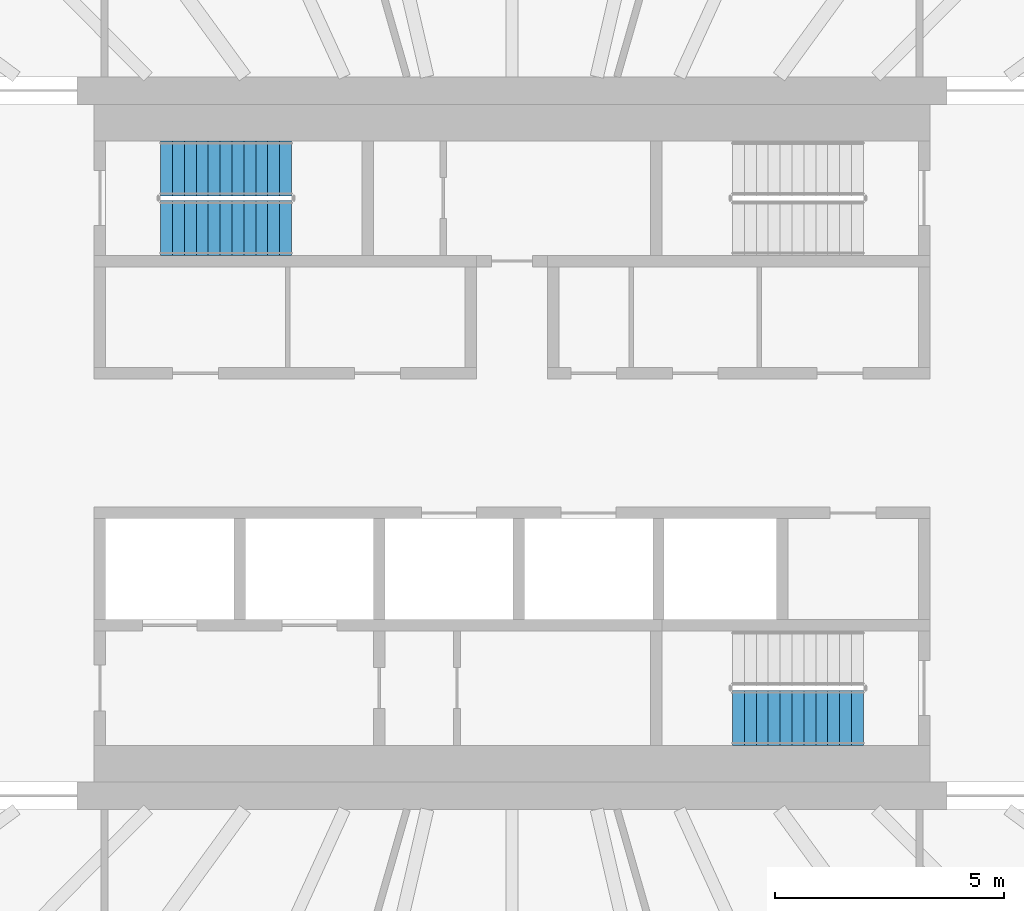
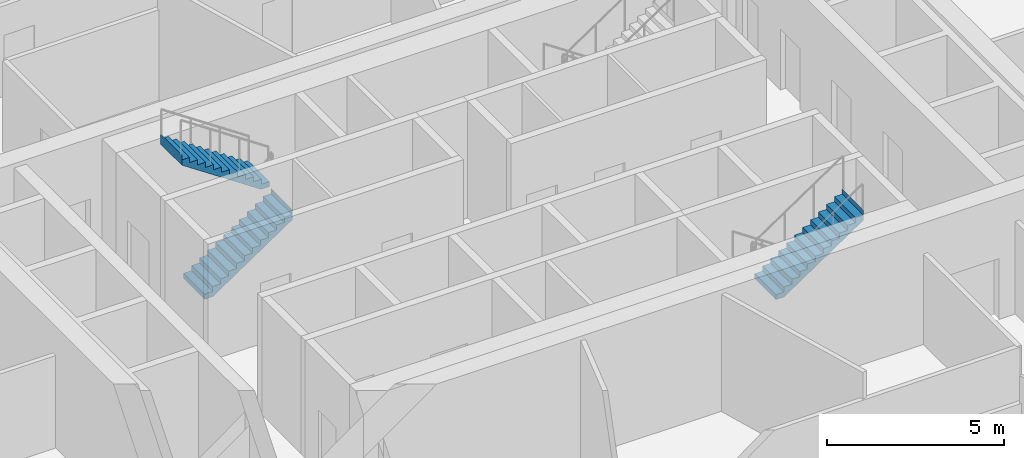
# One storey, part 15 of 22: 3 stair flights, 2 elements without a shape of their own.
"""IFC4 building model written with IfcOpenShell, lengths in metres."""

from ifc_helpers import new_model, si_unit, direction, frame, origin, place, context, subcontext, project, spatial, triangles, material, type_object, element, aggregate, save


model = new_model("IFC4")

# Units and contexts
model_context = context("Model", 3, precision=1e-05, world=origin(), true_north=direction((0.0, 1.0)))
body_context = subcontext(model_context, "Body", "Model", "MODEL_VIEW")
ifc_project = project(units=[si_unit("LENGTHUNIT", "METRE"), si_unit("AREAUNIT", "SQUARE_METRE"), si_unit("VOLUMEUNIT", "CUBIC_METRE"), si_unit("PLANEANGLEUNIT", "RADIAN"), si_unit("MASSUNIT", "GRAM", prefix="KILO")], contexts=[model_context])

# Site, building, storey
site_placement = place(None, origin())
site = spatial("IfcSite", under=ifc_project, at=site_placement, CompositionType="ELEMENT")
building_placement = place(site_placement, origin())
building = spatial("IfcBuilding", under=site, at=building_placement, Name="Sahrelin Media Tower", CompositionType="ELEMENT")
storey_placement = place(building_placement, frame((0.0, 0.0, 50.39990234375)))
storey = spatial("IfcBuildingStorey", under=building, at=storey_placement, Name="L07", CompositionType="ELEMENT", Elevation=50.39990234375)

# Stair, stair flights
ifc_material = material(Name="Concrete C40/50", Category="concrete")
stair_type = type_object("IfcStairType", Name="Exit stair 1200", PredefinedType="HALF_TURN_STAIR", material=ifc_material)
placement = place(storey_placement, origin())
stair_1 = element("IfcStair", 1, at=placement, inside=storey, type_object=stair_type, Name="L07 Exit stair ST1", PredefinedType="HALF_TURN_STAIR")
stair_flight_type = type_object("IfcStairFlightType", Name="Stair flight 1200", PredefinedType="STRAIGHT", material=ifc_material)
stair_flight_1_placement = place(storey_placement, frame((-7.675048828125, 4.699951171875, 0.0), z_axis=(0.0, 0.0, 1.0), x_axis=(1.0, 0.0, 0.0)))
stair_flight_1 = element("IfcStairFlight", 2, at=stair_flight_1_placement, type_object=stair_flight_type, Name="ST1 flight 1", NumberOfRisers=12, NumberOfTreads=11, PredefinedType="STRAIGHT", RiserHeight=0.175, TreadLength=0.26, context=body_context, shape_type="Tessellation", body=[
    triangles([(0.2685546875, 0.60009765625, 0.0), (0.2685546875, 0.300048828125, 0.0), (0.2685546875, 0.0, 0.0), (0.2685546875, -0.300048828125, 0.0), (0.2685546875, -0.60009765625, 0.0), (2.860107421875, 0.60009765625, 1.744384765625), (2.860107421875, 0.300048828125, 1.744384765625), (2.860107421875, 0.0, 1.744384765625), (2.860107421875, -0.300048828125, 1.744384765625), (2.860107421875, -0.60009765625, 1.744384765625), (2.860107421875, 0.60009765625, 2.10009765625), (2.860107421875, 0.300048828125, 2.10009765625), (2.860107421875, 0.0, 2.10009765625), (2.860107421875, -0.300048828125, 2.10009765625), (2.860107421875, -0.60009765625, 2.10009765625), (2.85791015625, 0.60009765625, 2.10009765625), (2.85791015625, 0.300048828125, 2.10009765625), (2.85791015625, 0.0, 2.10009765625), (2.85791015625, -0.300048828125, 2.10009765625), (2.85791015625, -0.60009765625, 2.10009765625), (2.85791015625, 0.60009765625, 1.925048828125), (2.85791015625, 0.300048828125, 1.925048828125), (2.85791015625, 0.0, 1.925048828125), (2.85791015625, -0.300048828125, 1.925048828125), (2.85791015625, -0.60009765625, 1.925048828125), (2.60009765625, 0.60009765625, 1.925048828125), (2.60009765625, 0.300048828125, 1.925048828125), (2.60009765625, 0.0, 1.925048828125), (2.60009765625, -0.300048828125, 1.925048828125), (2.60009765625, -0.60009765625, 1.925048828125), (2.60009765625, 0.60009765625, 1.75), (2.60009765625, 0.300048828125, 1.75), (2.60009765625, 0.0, 1.75), (2.60009765625, -0.300048828125, 1.75), (2.60009765625, -0.60009765625, 1.75), (2.340087890625, 0.60009765625, 1.75), (2.340087890625, 0.300048828125, 1.75), (2.340087890625, 0.0, 1.75), (2.340087890625, -0.300048828125, 1.75), (2.340087890625, -0.60009765625, 1.75), (2.340087890625, 0.60009765625, 1.574951171875), (2.340087890625, 0.300048828125, 1.574951171875), (2.340087890625, 0.0, 1.574951171875), (2.340087890625, -0.300048828125, 1.574951171875), (2.340087890625, -0.60009765625, 1.574951171875), (2.080078125, 0.60009765625, 1.574951171875), (2.080078125, 0.300048828125, 1.574951171875), (2.080078125, 0.0, 1.574951171875), (2.080078125, -0.300048828125, 1.574951171875), (2.080078125, -0.60009765625, 1.574951171875), (2.080078125, 0.60009765625, 1.39990234375), (2.080078125, 0.300048828125, 1.39990234375), (2.080078125, 0.0, 1.39990234375), (2.080078125, -0.300048828125, 1.39990234375), (2.080078125, -0.60009765625, 1.39990234375), (1.820068359375, 0.60009765625, 1.39990234375), (1.820068359375, 0.300048828125, 1.39990234375), (1.820068359375, 0.0, 1.39990234375), (1.820068359375, -0.300048828125, 1.39990234375), (1.820068359375, -0.60009765625, 1.39990234375), (1.820068359375, 0.60009765625, 1.22509765625), (1.820068359375, 0.300048828125, 1.22509765625), (1.820068359375, 0.0, 1.22509765625), (1.820068359375, -0.300048828125, 1.22509765625), (1.820068359375, -0.60009765625, 1.22509765625), (1.56005859375, 0.60009765625, 1.22509765625), (1.56005859375, 0.300048828125, 1.22509765625), (1.56005859375, 0.0, 1.22509765625), (1.56005859375, -0.300048828125, 1.22509765625), (1.56005859375, -0.60009765625, 1.22509765625), (1.56005859375, 0.60009765625, 1.050048828125), (1.56005859375, 0.300048828125, 1.050048828125), (1.56005859375, 0.0, 1.050048828125), (1.56005859375, -0.300048828125, 1.050048828125), (1.56005859375, -0.60009765625, 1.050048828125), (1.300048828125, 0.60009765625, 1.050048828125), (1.300048828125, 0.300048828125, 1.050048828125), (1.300048828125, 0.0, 1.050048828125), (1.300048828125, -0.300048828125, 1.050048828125), (1.300048828125, -0.60009765625, 1.050048828125), (1.300048828125, 0.60009765625, 0.875), (1.300048828125, 0.300048828125, 0.875), (1.300048828125, 0.0, 0.875), (1.300048828125, -0.300048828125, 0.875), (1.300048828125, -0.60009765625, 0.875), (1.0400390625, 0.60009765625, 0.875), (1.0400390625, 0.300048828125, 0.875), (1.0400390625, 0.0, 0.875), (1.0400390625, -0.300048828125, 0.875), (1.0400390625, -0.60009765625, 0.875), (1.0400390625, 0.60009765625, 0.699951171875), (1.0400390625, 0.300048828125, 0.699951171875), (1.0400390625, 0.0, 0.699951171875), (1.0400390625, -0.300048828125, 0.699951171875), (1.0400390625, -0.60009765625, 0.699951171875), (0.780029296875, 0.60009765625, 0.699951171875), (0.780029296875, 0.300048828125, 0.699951171875), (0.780029296875, 0.0, 0.699951171875), (0.780029296875, -0.300048828125, 0.699951171875), (0.780029296875, -0.60009765625, 0.699951171875), (0.780029296875, 0.60009765625, 0.52490234375), (0.780029296875, 0.300048828125, 0.52490234375), (0.780029296875, 0.0, 0.52490234375), (0.780029296875, -0.300048828125, 0.52490234375), (0.780029296875, -0.60009765625, 0.52490234375), (0.52001953125, 0.60009765625, 0.52490234375), (0.52001953125, 0.300048828125, 0.52490234375), (0.52001953125, 0.0, 0.52490234375), (0.52001953125, -0.300048828125, 0.52490234375), (0.52001953125, -0.60009765625, 0.52490234375), (0.52001953125, 0.60009765625, 0.35009765625), (0.52001953125, 0.300048828125, 0.35009765625), (0.52001953125, 0.0, 0.35009765625), (0.52001953125, -0.300048828125, 0.35009765625), (0.52001953125, -0.60009765625, 0.35009765625), (0.260009765625, 0.60009765625, 0.35009765625), (0.260009765625, 0.300048828125, 0.35009765625), (0.260009765625, 0.0, 0.35009765625), (0.260009765625, -0.300048828125, 0.35009765625), (0.260009765625, -0.60009765625, 0.35009765625), (0.260009765625, 0.60009765625, 0.175048828125), (0.260009765625, 0.300048828125, 0.175048828125), (0.260009765625, 0.0, 0.175048828125), (0.260009765625, -0.300048828125, 0.175048828125), (0.260009765625, -0.60009765625, 0.175048828125), (0.0, 0.60009765625, 0.175048828125), (0.0, 0.300048828125, 0.175048828125), (0.0, 0.0, 0.175048828125), (0.0, -0.300048828125, 0.175048828125), (0.0, -0.60009765625, 0.175048828125), (0.0, 0.60009765625, 0.0), (0.0, 0.300048828125, 0.0), (0.0, 0.0, 0.0), (0.0, -0.300048828125, 0.0), (0.0, -0.60009765625, 0.0)], [[1, 6, 7], [1, 7, 2], [2, 7, 8], [2, 8, 3], [3, 8, 9], [3, 9, 4], [4, 9, 10], [4, 10, 5], [6, 11, 12], [6, 12, 7], [7, 12, 13], [7, 13, 8], [8, 13, 14], [8, 14, 9], [9, 14, 15], [9, 15, 10], [11, 16, 17], [11, 17, 12], [12, 17, 18], [12, 18, 13], [13, 18, 19], [13, 19, 14], [14, 19, 20], [14, 20, 15], [16, 21, 22], [16, 22, 17], [17, 22, 23], [17, 23, 18], [18, 23, 24], [18, 24, 19], [19, 24, 25], [19, 25, 20], [21, 26, 27], [21, 27, 22], [22, 27, 28], [22, 28, 23], [23, 28, 29], [23, 29, 24], [24, 29, 30], [24, 30, 25], [26, 31, 32], [26, 32, 27], [27, 32, 33], [27, 33, 28], [28, 33, 34], [28, 34, 29], [29, 34, 35], [29, 35, 30], [31, 36, 37], [31, 37, 32], [32, 37, 38], [32, 38, 33], [33, 38, 39], [33, 39, 34], [34, 39, 40], [34, 40, 35], [36, 41, 42], [36, 42, 37], [37, 42, 43], [37, 43, 38], [38, 43, 44], [38, 44, 39], [39, 44, 45], [39, 45, 40], [41, 46, 47], [41, 47, 42], [42, 47, 48], [42, 48, 43], [43, 48, 49], [43, 49, 44], [44, 49, 50], [44, 50, 45], [46, 51, 52], [46, 52, 47], [47, 52, 53], [47, 53, 48], [48, 53, 54], [48, 54, 49], [49, 54, 55], [49, 55, 50], [51, 56, 57], [51, 57, 52], [52, 57, 58], [52, 58, 53], [53, 58, 59], [53, 59, 54], [54, 59, 60], [54, 60, 55], [56, 61, 62], [56, 62, 57], [57, 62, 63], [57, 63, 58], [58, 63, 64], [58, 64, 59], [59, 64, 65], [59, 65, 60], [61, 66, 67], [61, 67, 62], [62, 67, 68], [62, 68, 63], [63, 68, 69], [63, 69, 64], [64, 69, 70], [64, 70, 65], [66, 71, 72], [66, 72, 67], [67, 72, 73], [67, 73, 68], [68, 73, 74], [68, 74, 69], [69, 74, 75], [69, 75, 70], [71, 76, 77], [71, 77, 72], [72, 77, 78], [72, 78, 73], [73, 78, 79], [73, 79, 74], [74, 79, 80], [74, 80, 75], [76, 81, 82], [76, 82, 77], [77, 82, 83], [77, 83, 78], [78, 83, 84], [78, 84, 79], [79, 84, 85], [79, 85, 80], [81, 86, 87], [81, 87, 82], [82, 87, 88], [82, 88, 83], [83, 88, 89], [83, 89, 84], [84, 89, 90], [84, 90, 85], [86, 91, 92], [86, 92, 87], [87, 92, 93], [87, 93, 88], [88, 93, 94], [88, 94, 89], [89, 94, 95], [89, 95, 90], [91, 96, 97], [91, 97, 92], [92, 97, 98], [92, 98, 93], [93, 98, 99], [93, 99, 94], [94, 99, 100], [94, 100, 95], [96, 101, 102], [96, 102, 97], [97, 102, 103], [97, 103, 98], [98, 103, 104], [98, 104, 99], [99, 104, 105], [99, 105, 100], [101, 106, 107], [101, 107, 102], [102, 107, 108], [102, 108, 103], [103, 108, 109], [103, 109, 104], [104, 109, 110], [104, 110, 105], [106, 111, 112], [106, 112, 107], [107, 112, 113], [107, 113, 108], [108, 113, 114], [108, 114, 109], [109, 114, 115], [109, 115, 110], [111, 116, 117], [111, 117, 112], [112, 117, 118], [112, 118, 113], [113, 118, 119], [113, 119, 114], [114, 119, 120], [114, 120, 115], [116, 121, 122], [116, 122, 117], [117, 122, 123], [117, 123, 118], [118, 123, 124], [118, 124, 119], [119, 124, 125], [119, 125, 120], [121, 126, 127], [121, 127, 122], [122, 127, 128], [122, 128, 123], [123, 128, 129], [123, 129, 124], [124, 129, 130], [124, 130, 125], [126, 131, 132], [126, 132, 127], [127, 132, 133], [127, 133, 128], [128, 133, 134], [128, 134, 129], [129, 134, 135], [129, 135, 130], [131, 1, 2], [131, 2, 132], [132, 2, 3], [132, 3, 133], [133, 3, 4], [133, 4, 134], [134, 4, 5], [134, 5, 135], [125, 130, 135], [121, 131, 126], [125, 115, 120], [121, 116, 111], [115, 105, 110], [111, 106, 101], [105, 95, 100], [101, 96, 91], [95, 85, 90], [91, 86, 81], [85, 75, 80], [81, 76, 71], [75, 65, 70], [71, 66, 61], [65, 55, 60], [61, 56, 51], [55, 45, 50], [51, 46, 41], [45, 35, 40], [41, 36, 31], [35, 25, 30], [31, 26, 21], [25, 15, 20], [21, 16, 11], [135, 5, 125], [131, 121, 1], [95, 105, 5], [91, 1, 101], [5, 10, 75], [1, 71, 6], [10, 35, 45], [6, 41, 31], [25, 10, 15], [21, 11, 6], [115, 125, 5], [111, 1, 121], [75, 85, 5], [71, 1, 81], [35, 10, 25], [31, 21, 6], [105, 115, 5], [101, 1, 111], [45, 55, 10], [41, 6, 51], [85, 95, 5], [81, 1, 91], [65, 10, 55], [61, 51, 6], [10, 65, 75], [6, 71, 61]], closed=True),
])
stair_flight_2_placement = place(storey_placement, frame((-4.81494140625, 6.0, 2.10009765625), z_axis=(0.0, 0.0, 1.0), x_axis=(-1.0, 0.0, 0.0)))
stair_flight_2 = element("IfcStairFlight", 3, at=stair_flight_2_placement, type_object=stair_flight_type, Name="ST1 flight 2", NumberOfRisers=12, NumberOfTreads=11, PredefinedType="STRAIGHT", RiserHeight=0.175, TreadLength=0.26, context=body_context, shape_type="Tessellation", body=[
    triangles([(0.2685546875, 0.60009765625, 0.0), (0.2685546875, 0.300048828125, 0.0), (0.2685546875, 0.0, 0.0), (0.2685546875, -0.300048828125, 0.0), (0.2685546875, -0.60009765625, 0.0), (2.860107421875, 0.60009765625, 1.744384765625), (2.860107421875, 0.300048828125, 1.744384765625), (2.860107421875, 0.0, 1.744384765625), (2.860107421875, -0.300048828125, 1.744384765625), (2.860107421875, -0.60009765625, 1.744384765625), (2.860107421875, 0.60009765625, 2.10009765625), (2.860107421875, 0.300048828125, 2.10009765625), (2.860107421875, 0.0, 2.10009765625), (2.860107421875, -0.300048828125, 2.10009765625), (2.860107421875, -0.60009765625, 2.10009765625), (2.85791015625, 0.60009765625, 2.10009765625), (2.85791015625, 0.300048828125, 2.10009765625), (2.85791015625, 0.0, 2.10009765625), (2.85791015625, -0.300048828125, 2.10009765625), (2.85791015625, -0.60009765625, 2.10009765625), (2.85791015625, 0.60009765625, 1.925048828125), (2.85791015625, 0.300048828125, 1.925048828125), (2.85791015625, 0.0, 1.925048828125), (2.85791015625, -0.300048828125, 1.925048828125), (2.85791015625, -0.60009765625, 1.925048828125), (2.60009765625, 0.60009765625, 1.925048828125), (2.60009765625, 0.300048828125, 1.925048828125), (2.60009765625, 0.0, 1.925048828125), (2.60009765625, -0.300048828125, 1.925048828125), (2.60009765625, -0.60009765625, 1.925048828125), (2.60009765625, 0.60009765625, 1.75), (2.60009765625, 0.300048828125, 1.75), (2.60009765625, 0.0, 1.75), (2.60009765625, -0.300048828125, 1.75), (2.60009765625, -0.60009765625, 1.75), (2.340087890625, 0.60009765625, 1.75), (2.340087890625, 0.300048828125, 1.75), (2.340087890625, 0.0, 1.75), (2.340087890625, -0.300048828125, 1.75), (2.340087890625, -0.60009765625, 1.75), (2.340087890625, 0.60009765625, 1.574951171875), (2.340087890625, 0.300048828125, 1.574951171875), (2.340087890625, 0.0, 1.574951171875), (2.340087890625, -0.300048828125, 1.574951171875), (2.340087890625, -0.60009765625, 1.574951171875), (2.080078125, 0.60009765625, 1.574951171875), (2.080078125, 0.300048828125, 1.574951171875), (2.080078125, 0.0, 1.574951171875), (2.080078125, -0.300048828125, 1.574951171875), (2.080078125, -0.60009765625, 1.574951171875), (2.080078125, 0.60009765625, 1.39990234375), (2.080078125, 0.300048828125, 1.39990234375), (2.080078125, 0.0, 1.39990234375), (2.080078125, -0.300048828125, 1.39990234375), (2.080078125, -0.60009765625, 1.39990234375), (1.820068359375, 0.60009765625, 1.39990234375), (1.820068359375, 0.300048828125, 1.39990234375), (1.820068359375, 0.0, 1.39990234375), (1.820068359375, -0.300048828125, 1.39990234375), (1.820068359375, -0.60009765625, 1.39990234375), (1.820068359375, 0.60009765625, 1.22509765625), (1.820068359375, 0.300048828125, 1.22509765625), (1.820068359375, 0.0, 1.22509765625), (1.820068359375, -0.300048828125, 1.22509765625), (1.820068359375, -0.60009765625, 1.22509765625), (1.56005859375, 0.60009765625, 1.22509765625), (1.56005859375, 0.300048828125, 1.22509765625), (1.56005859375, 0.0, 1.22509765625), (1.56005859375, -0.300048828125, 1.22509765625), (1.56005859375, -0.60009765625, 1.22509765625), (1.56005859375, 0.60009765625, 1.050048828125), (1.56005859375, 0.300048828125, 1.050048828125), (1.56005859375, 0.0, 1.050048828125), (1.56005859375, -0.300048828125, 1.050048828125), (1.56005859375, -0.60009765625, 1.050048828125), (1.300048828125, 0.60009765625, 1.050048828125), (1.300048828125, 0.300048828125, 1.050048828125), (1.300048828125, 0.0, 1.050048828125), (1.300048828125, -0.300048828125, 1.050048828125), (1.300048828125, -0.60009765625, 1.050048828125), (1.300048828125, 0.60009765625, 0.875), (1.300048828125, 0.300048828125, 0.875), (1.300048828125, 0.0, 0.875), (1.300048828125, -0.300048828125, 0.875), (1.300048828125, -0.60009765625, 0.875), (1.0400390625, 0.60009765625, 0.875), (1.0400390625, 0.300048828125, 0.875), (1.0400390625, 0.0, 0.875), (1.0400390625, -0.300048828125, 0.875), (1.0400390625, -0.60009765625, 0.875), (1.0400390625, 0.60009765625, 0.699951171875), (1.0400390625, 0.300048828125, 0.699951171875), (1.0400390625, 0.0, 0.699951171875), (1.0400390625, -0.300048828125, 0.699951171875), (1.0400390625, -0.60009765625, 0.699951171875), (0.780029296875, 0.60009765625, 0.699951171875), (0.780029296875, 0.300048828125, 0.699951171875), (0.780029296875, 0.0, 0.699951171875), (0.780029296875, -0.300048828125, 0.699951171875), (0.780029296875, -0.60009765625, 0.699951171875), (0.780029296875, 0.60009765625, 0.52490234375), (0.780029296875, 0.300048828125, 0.52490234375), (0.780029296875, 0.0, 0.52490234375), (0.780029296875, -0.300048828125, 0.52490234375), (0.780029296875, -0.60009765625, 0.52490234375), (0.52001953125, 0.60009765625, 0.52490234375), (0.52001953125, 0.300048828125, 0.52490234375), (0.52001953125, 0.0, 0.52490234375), (0.52001953125, -0.300048828125, 0.52490234375), (0.52001953125, -0.60009765625, 0.52490234375), (0.52001953125, 0.60009765625, 0.35009765625), (0.52001953125, 0.300048828125, 0.35009765625), (0.52001953125, 0.0, 0.35009765625), (0.52001953125, -0.300048828125, 0.35009765625), (0.52001953125, -0.60009765625, 0.35009765625), (0.260009765625, 0.60009765625, 0.35009765625), (0.260009765625, 0.300048828125, 0.35009765625), (0.260009765625, 0.0, 0.35009765625), (0.260009765625, -0.300048828125, 0.35009765625), (0.260009765625, -0.60009765625, 0.35009765625), (0.260009765625, 0.60009765625, 0.175048828125), (0.260009765625, 0.300048828125, 0.175048828125), (0.260009765625, 0.0, 0.175048828125), (0.260009765625, -0.300048828125, 0.175048828125), (0.260009765625, -0.60009765625, 0.175048828125), (0.0, 0.60009765625, 0.175048828125), (0.0, 0.300048828125, 0.175048828125), (0.0, 0.0, 0.175048828125), (0.0, -0.300048828125, 0.175048828125), (0.0, -0.60009765625, 0.175048828125), (0.0, 0.60009765625, 0.0), (0.0, 0.300048828125, 0.0), (0.0, 0.0, 0.0), (0.0, -0.300048828125, 0.0), (0.0, -0.60009765625, 0.0)], [[1, 6, 7], [1, 7, 2], [2, 7, 8], [2, 8, 3], [3, 8, 9], [3, 9, 4], [4, 9, 10], [4, 10, 5], [6, 11, 12], [6, 12, 7], [7, 12, 13], [7, 13, 8], [8, 13, 14], [8, 14, 9], [9, 14, 15], [9, 15, 10], [11, 16, 17], [11, 17, 12], [12, 17, 18], [12, 18, 13], [13, 18, 19], [13, 19, 14], [14, 19, 20], [14, 20, 15], [16, 21, 22], [16, 22, 17], [17, 22, 23], [17, 23, 18], [18, 23, 24], [18, 24, 19], [19, 24, 25], [19, 25, 20], [21, 26, 27], [21, 27, 22], [22, 27, 28], [22, 28, 23], [23, 28, 29], [23, 29, 24], [24, 29, 30], [24, 30, 25], [26, 31, 32], [26, 32, 27], [27, 32, 33], [27, 33, 28], [28, 33, 34], [28, 34, 29], [29, 34, 35], [29, 35, 30], [31, 36, 37], [31, 37, 32], [32, 37, 38], [32, 38, 33], [33, 38, 39], [33, 39, 34], [34, 39, 40], [34, 40, 35], [36, 41, 42], [36, 42, 37], [37, 42, 43], [37, 43, 38], [38, 43, 44], [38, 44, 39], [39, 44, 45], [39, 45, 40], [41, 46, 47], [41, 47, 42], [42, 47, 48], [42, 48, 43], [43, 48, 49], [43, 49, 44], [44, 49, 50], [44, 50, 45], [46, 51, 52], [46, 52, 47], [47, 52, 53], [47, 53, 48], [48, 53, 54], [48, 54, 49], [49, 54, 55], [49, 55, 50], [51, 56, 57], [51, 57, 52], [52, 57, 58], [52, 58, 53], [53, 58, 59], [53, 59, 54], [54, 59, 60], [54, 60, 55], [56, 61, 62], [56, 62, 57], [57, 62, 63], [57, 63, 58], [58, 63, 64], [58, 64, 59], [59, 64, 65], [59, 65, 60], [61, 66, 67], [61, 67, 62], [62, 67, 68], [62, 68, 63], [63, 68, 69], [63, 69, 64], [64, 69, 70], [64, 70, 65], [66, 71, 72], [66, 72, 67], [67, 72, 73], [67, 73, 68], [68, 73, 74], [68, 74, 69], [69, 74, 75], [69, 75, 70], [71, 76, 77], [71, 77, 72], [72, 77, 78], [72, 78, 73], [73, 78, 79], [73, 79, 74], [74, 79, 80], [74, 80, 75], [76, 81, 82], [76, 82, 77], [77, 82, 83], [77, 83, 78], [78, 83, 84], [78, 84, 79], [79, 84, 85], [79, 85, 80], [81, 86, 87], [81, 87, 82], [82, 87, 88], [82, 88, 83], [83, 88, 89], [83, 89, 84], [84, 89, 90], [84, 90, 85], [86, 91, 92], [86, 92, 87], [87, 92, 93], [87, 93, 88], [88, 93, 94], [88, 94, 89], [89, 94, 95], [89, 95, 90], [91, 96, 97], [91, 97, 92], [92, 97, 98], [92, 98, 93], [93, 98, 99], [93, 99, 94], [94, 99, 100], [94, 100, 95], [96, 101, 102], [96, 102, 97], [97, 102, 103], [97, 103, 98], [98, 103, 104], [98, 104, 99], [99, 104, 105], [99, 105, 100], [101, 106, 107], [101, 107, 102], [102, 107, 108], [102, 108, 103], [103, 108, 109], [103, 109, 104], [104, 109, 110], [104, 110, 105], [106, 111, 112], [106, 112, 107], [107, 112, 113], [107, 113, 108], [108, 113, 114], [108, 114, 109], [109, 114, 115], [109, 115, 110], [111, 116, 117], [111, 117, 112], [112, 117, 118], [112, 118, 113], [113, 118, 119], [113, 119, 114], [114, 119, 120], [114, 120, 115], [116, 121, 122], [116, 122, 117], [117, 122, 123], [117, 123, 118], [118, 123, 124], [118, 124, 119], [119, 124, 125], [119, 125, 120], [121, 126, 127], [121, 127, 122], [122, 127, 128], [122, 128, 123], [123, 128, 129], [123, 129, 124], [124, 129, 130], [124, 130, 125], [126, 131, 132], [126, 132, 127], [127, 132, 133], [127, 133, 128], [128, 133, 134], [128, 134, 129], [129, 134, 135], [129, 135, 130], [131, 1, 2], [131, 2, 132], [132, 2, 3], [132, 3, 133], [133, 3, 4], [133, 4, 134], [134, 4, 5], [134, 5, 135], [125, 130, 135], [121, 131, 126], [125, 115, 120], [121, 116, 111], [115, 105, 110], [111, 106, 101], [105, 95, 100], [101, 96, 91], [95, 85, 90], [91, 86, 81], [85, 75, 80], [81, 76, 71], [75, 65, 70], [71, 66, 61], [65, 55, 60], [61, 56, 51], [55, 45, 50], [51, 46, 41], [45, 35, 40], [41, 36, 31], [35, 25, 30], [31, 26, 21], [25, 15, 20], [21, 16, 11], [135, 5, 125], [131, 121, 1], [95, 105, 5], [91, 1, 101], [5, 10, 75], [1, 71, 6], [10, 35, 45], [6, 41, 31], [25, 10, 15], [21, 11, 6], [115, 125, 5], [111, 1, 121], [75, 85, 5], [71, 1, 81], [35, 10, 25], [31, 21, 6], [105, 115, 5], [101, 1, 111], [45, 55, 10], [41, 6, 51], [85, 95, 5], [81, 1, 91], [65, 10, 55], [61, 51, 6], [10, 65, 75], [6, 71, 61]], closed=True),
])
aggregate(stair_1, [stair_flight_1, stair_flight_2])

# Stair, stair flight
stair_2 = element("IfcStair", 4, at=placement, inside=storey, type_object=stair_type, Name="L07 Exit stair ST2", PredefinedType="HALF_TURN_STAIR")
stair_flight_3_placement = place(storey_placement, frame((4.81494140625, -6.0, 2.10009765625), z_axis=(0.0, 0.0, 1.0), x_axis=(1.0, 0.0, 0.0)))
stair_flight_3 = element("IfcStairFlight", 5, at=stair_flight_3_placement, type_object=stair_flight_type, Name="ST2 flight 2", NumberOfRisers=12, NumberOfTreads=11, PredefinedType="STRAIGHT", RiserHeight=0.175, TreadLength=0.26, context=body_context, shape_type="Tessellation", body=[
    triangles([(0.2685546875, 0.60009765625, 0.0), (0.2685546875, 0.300048828125, 0.0), (0.2685546875, 0.0, 0.0), (0.2685546875, -0.300048828125, 0.0), (0.2685546875, -0.60009765625, 0.0), (2.860107421875, 0.60009765625, 1.744384765625), (2.860107421875, 0.300048828125, 1.744384765625), (2.860107421875, 0.0, 1.744384765625), (2.860107421875, -0.300048828125, 1.744384765625), (2.860107421875, -0.60009765625, 1.744384765625), (2.860107421875, 0.60009765625, 2.10009765625), (2.860107421875, 0.300048828125, 2.10009765625), (2.860107421875, 0.0, 2.10009765625), (2.860107421875, -0.300048828125, 2.10009765625), (2.860107421875, -0.60009765625, 2.10009765625), (2.85791015625, 0.60009765625, 2.10009765625), (2.85791015625, 0.300048828125, 2.10009765625), (2.85791015625, 0.0, 2.10009765625), (2.85791015625, -0.300048828125, 2.10009765625), (2.85791015625, -0.60009765625, 2.10009765625), (2.85791015625, 0.60009765625, 1.925048828125), (2.85791015625, 0.300048828125, 1.925048828125), (2.85791015625, 0.0, 1.925048828125), (2.85791015625, -0.300048828125, 1.925048828125), (2.85791015625, -0.60009765625, 1.925048828125), (2.60009765625, 0.60009765625, 1.925048828125), (2.60009765625, 0.300048828125, 1.925048828125), (2.60009765625, 0.0, 1.925048828125), (2.60009765625, -0.300048828125, 1.925048828125), (2.60009765625, -0.60009765625, 1.925048828125), (2.60009765625, 0.60009765625, 1.75), (2.60009765625, 0.300048828125, 1.75), (2.60009765625, 0.0, 1.75), (2.60009765625, -0.300048828125, 1.75), (2.60009765625, -0.60009765625, 1.75), (2.340087890625, 0.60009765625, 1.75), (2.340087890625, 0.300048828125, 1.75), (2.340087890625, 0.0, 1.75), (2.340087890625, -0.300048828125, 1.75), (2.340087890625, -0.60009765625, 1.75), (2.340087890625, 0.60009765625, 1.574951171875), (2.340087890625, 0.300048828125, 1.574951171875), (2.340087890625, 0.0, 1.574951171875), (2.340087890625, -0.300048828125, 1.574951171875), (2.340087890625, -0.60009765625, 1.574951171875), (2.080078125, 0.60009765625, 1.574951171875), (2.080078125, 0.300048828125, 1.574951171875), (2.080078125, 0.0, 1.574951171875), (2.080078125, -0.300048828125, 1.574951171875), (2.080078125, -0.60009765625, 1.574951171875), (2.080078125, 0.60009765625, 1.39990234375), (2.080078125, 0.300048828125, 1.39990234375), (2.080078125, 0.0, 1.39990234375), (2.080078125, -0.300048828125, 1.39990234375), (2.080078125, -0.60009765625, 1.39990234375), (1.820068359375, 0.60009765625, 1.39990234375), (1.820068359375, 0.300048828125, 1.39990234375), (1.820068359375, 0.0, 1.39990234375), (1.820068359375, -0.300048828125, 1.39990234375), (1.820068359375, -0.60009765625, 1.39990234375), (1.820068359375, 0.60009765625, 1.22509765625), (1.820068359375, 0.300048828125, 1.22509765625), (1.820068359375, 0.0, 1.22509765625), (1.820068359375, -0.300048828125, 1.22509765625), (1.820068359375, -0.60009765625, 1.22509765625), (1.56005859375, 0.60009765625, 1.22509765625), (1.56005859375, 0.300048828125, 1.22509765625), (1.56005859375, 0.0, 1.22509765625), (1.56005859375, -0.300048828125, 1.22509765625), (1.56005859375, -0.60009765625, 1.22509765625), (1.56005859375, 0.60009765625, 1.050048828125), (1.56005859375, 0.300048828125, 1.050048828125), (1.56005859375, 0.0, 1.050048828125), (1.56005859375, -0.300048828125, 1.050048828125), (1.56005859375, -0.60009765625, 1.050048828125), (1.300048828125, 0.60009765625, 1.050048828125), (1.300048828125, 0.300048828125, 1.050048828125), (1.300048828125, 0.0, 1.050048828125), (1.300048828125, -0.300048828125, 1.050048828125), (1.300048828125, -0.60009765625, 1.050048828125), (1.300048828125, 0.60009765625, 0.875), (1.300048828125, 0.300048828125, 0.875), (1.300048828125, 0.0, 0.875), (1.300048828125, -0.300048828125, 0.875), (1.300048828125, -0.60009765625, 0.875), (1.0400390625, 0.60009765625, 0.875), (1.0400390625, 0.300048828125, 0.875), (1.0400390625, 0.0, 0.875), (1.0400390625, -0.300048828125, 0.875), (1.0400390625, -0.60009765625, 0.875), (1.0400390625, 0.60009765625, 0.699951171875), (1.0400390625, 0.300048828125, 0.699951171875), (1.0400390625, 0.0, 0.699951171875), (1.0400390625, -0.300048828125, 0.699951171875), (1.0400390625, -0.60009765625, 0.699951171875), (0.780029296875, 0.60009765625, 0.699951171875), (0.780029296875, 0.300048828125, 0.699951171875), (0.780029296875, 0.0, 0.699951171875), (0.780029296875, -0.300048828125, 0.699951171875), (0.780029296875, -0.60009765625, 0.699951171875), (0.780029296875, 0.60009765625, 0.52490234375), (0.780029296875, 0.300048828125, 0.52490234375), (0.780029296875, 0.0, 0.52490234375), (0.780029296875, -0.300048828125, 0.52490234375), (0.780029296875, -0.60009765625, 0.52490234375), (0.52001953125, 0.60009765625, 0.52490234375), (0.52001953125, 0.300048828125, 0.52490234375), (0.52001953125, 0.0, 0.52490234375), (0.52001953125, -0.300048828125, 0.52490234375), (0.52001953125, -0.60009765625, 0.52490234375), (0.52001953125, 0.60009765625, 0.35009765625), (0.52001953125, 0.300048828125, 0.35009765625), (0.52001953125, 0.0, 0.35009765625), (0.52001953125, -0.300048828125, 0.35009765625), (0.52001953125, -0.60009765625, 0.35009765625), (0.260009765625, 0.60009765625, 0.35009765625), (0.260009765625, 0.300048828125, 0.35009765625), (0.260009765625, 0.0, 0.35009765625), (0.260009765625, -0.300048828125, 0.35009765625), (0.260009765625, -0.60009765625, 0.35009765625), (0.260009765625, 0.60009765625, 0.175048828125), (0.260009765625, 0.300048828125, 0.175048828125), (0.260009765625, 0.0, 0.175048828125), (0.260009765625, -0.300048828125, 0.175048828125), (0.260009765625, -0.60009765625, 0.175048828125), (0.0, 0.60009765625, 0.175048828125), (0.0, 0.300048828125, 0.175048828125), (0.0, 0.0, 0.175048828125), (0.0, -0.300048828125, 0.175048828125), (0.0, -0.60009765625, 0.175048828125), (0.0, 0.60009765625, 0.0), (0.0, 0.300048828125, 0.0), (0.0, 0.0, 0.0), (0.0, -0.300048828125, 0.0), (0.0, -0.60009765625, 0.0)], [[1, 6, 7], [1, 7, 2], [2, 7, 8], [2, 8, 3], [3, 8, 9], [3, 9, 4], [4, 9, 10], [4, 10, 5], [6, 11, 12], [6, 12, 7], [7, 12, 13], [7, 13, 8], [8, 13, 14], [8, 14, 9], [9, 14, 15], [9, 15, 10], [11, 16, 17], [11, 17, 12], [12, 17, 18], [12, 18, 13], [13, 18, 19], [13, 19, 14], [14, 19, 20], [14, 20, 15], [16, 21, 22], [16, 22, 17], [17, 22, 23], [17, 23, 18], [18, 23, 24], [18, 24, 19], [19, 24, 25], [19, 25, 20], [21, 26, 27], [21, 27, 22], [22, 27, 28], [22, 28, 23], [23, 28, 29], [23, 29, 24], [24, 29, 30], [24, 30, 25], [26, 31, 32], [26, 32, 27], [27, 32, 33], [27, 33, 28], [28, 33, 34], [28, 34, 29], [29, 34, 35], [29, 35, 30], [31, 36, 37], [31, 37, 32], [32, 37, 38], [32, 38, 33], [33, 38, 39], [33, 39, 34], [34, 39, 40], [34, 40, 35], [36, 41, 42], [36, 42, 37], [37, 42, 43], [37, 43, 38], [38, 43, 44], [38, 44, 39], [39, 44, 45], [39, 45, 40], [41, 46, 47], [41, 47, 42], [42, 47, 48], [42, 48, 43], [43, 48, 49], [43, 49, 44], [44, 49, 50], [44, 50, 45], [46, 51, 52], [46, 52, 47], [47, 52, 53], [47, 53, 48], [48, 53, 54], [48, 54, 49], [49, 54, 55], [49, 55, 50], [51, 56, 57], [51, 57, 52], [52, 57, 58], [52, 58, 53], [53, 58, 59], [53, 59, 54], [54, 59, 60], [54, 60, 55], [56, 61, 62], [56, 62, 57], [57, 62, 63], [57, 63, 58], [58, 63, 64], [58, 64, 59], [59, 64, 65], [59, 65, 60], [61, 66, 67], [61, 67, 62], [62, 67, 68], [62, 68, 63], [63, 68, 69], [63, 69, 64], [64, 69, 70], [64, 70, 65], [66, 71, 72], [66, 72, 67], [67, 72, 73], [67, 73, 68], [68, 73, 74], [68, 74, 69], [69, 74, 75], [69, 75, 70], [71, 76, 77], [71, 77, 72], [72, 77, 78], [72, 78, 73], [73, 78, 79], [73, 79, 74], [74, 79, 80], [74, 80, 75], [76, 81, 82], [76, 82, 77], [77, 82, 83], [77, 83, 78], [78, 83, 84], [78, 84, 79], [79, 84, 85], [79, 85, 80], [81, 86, 87], [81, 87, 82], [82, 87, 88], [82, 88, 83], [83, 88, 89], [83, 89, 84], [84, 89, 90], [84, 90, 85], [86, 91, 92], [86, 92, 87], [87, 92, 93], [87, 93, 88], [88, 93, 94], [88, 94, 89], [89, 94, 95], [89, 95, 90], [91, 96, 97], [91, 97, 92], [92, 97, 98], [92, 98, 93], [93, 98, 99], [93, 99, 94], [94, 99, 100], [94, 100, 95], [96, 101, 102], [96, 102, 97], [97, 102, 103], [97, 103, 98], [98, 103, 104], [98, 104, 99], [99, 104, 105], [99, 105, 100], [101, 106, 107], [101, 107, 102], [102, 107, 108], [102, 108, 103], [103, 108, 109], [103, 109, 104], [104, 109, 110], [104, 110, 105], [106, 111, 112], [106, 112, 107], [107, 112, 113], [107, 113, 108], [108, 113, 114], [108, 114, 109], [109, 114, 115], [109, 115, 110], [111, 116, 117], [111, 117, 112], [112, 117, 118], [112, 118, 113], [113, 118, 119], [113, 119, 114], [114, 119, 120], [114, 120, 115], [116, 121, 122], [116, 122, 117], [117, 122, 123], [117, 123, 118], [118, 123, 124], [118, 124, 119], [119, 124, 125], [119, 125, 120], [121, 126, 127], [121, 127, 122], [122, 127, 128], [122, 128, 123], [123, 128, 129], [123, 129, 124], [124, 129, 130], [124, 130, 125], [126, 131, 132], [126, 132, 127], [127, 132, 133], [127, 133, 128], [128, 133, 134], [128, 134, 129], [129, 134, 135], [129, 135, 130], [131, 1, 2], [131, 2, 132], [132, 2, 3], [132, 3, 133], [133, 3, 4], [133, 4, 134], [134, 4, 5], [134, 5, 135], [125, 130, 135], [121, 131, 126], [125, 115, 120], [121, 116, 111], [115, 105, 110], [111, 106, 101], [105, 95, 100], [101, 96, 91], [95, 85, 90], [91, 86, 81], [85, 75, 80], [81, 76, 71], [75, 65, 70], [71, 66, 61], [65, 55, 60], [61, 56, 51], [55, 45, 50], [51, 46, 41], [45, 35, 40], [41, 36, 31], [35, 25, 30], [31, 26, 21], [25, 15, 20], [21, 16, 11], [135, 5, 125], [131, 121, 1], [95, 105, 5], [91, 1, 101], [5, 10, 75], [1, 71, 6], [10, 35, 45], [6, 41, 31], [25, 10, 15], [21, 11, 6], [115, 125, 5], [111, 1, 121], [75, 85, 5], [71, 1, 81], [35, 10, 25], [31, 21, 6], [105, 115, 5], [101, 1, 111], [45, 55, 10], [41, 6, 51], [85, 95, 5], [81, 1, 91], [65, 10, 55], [61, 51, 6], [10, 65, 75], [6, 71, 61]], closed=True),
])
aggregate(stair_2, [stair_flight_3])

save(model, "model.ifc")
